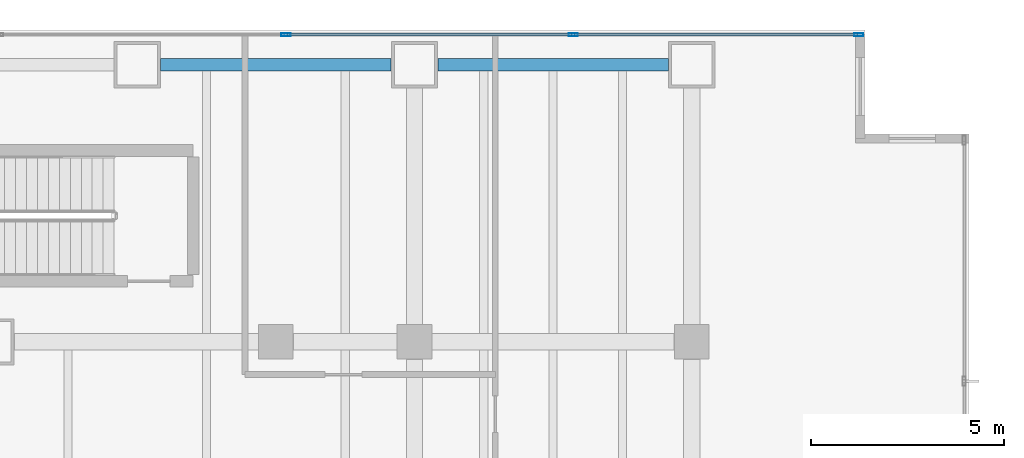
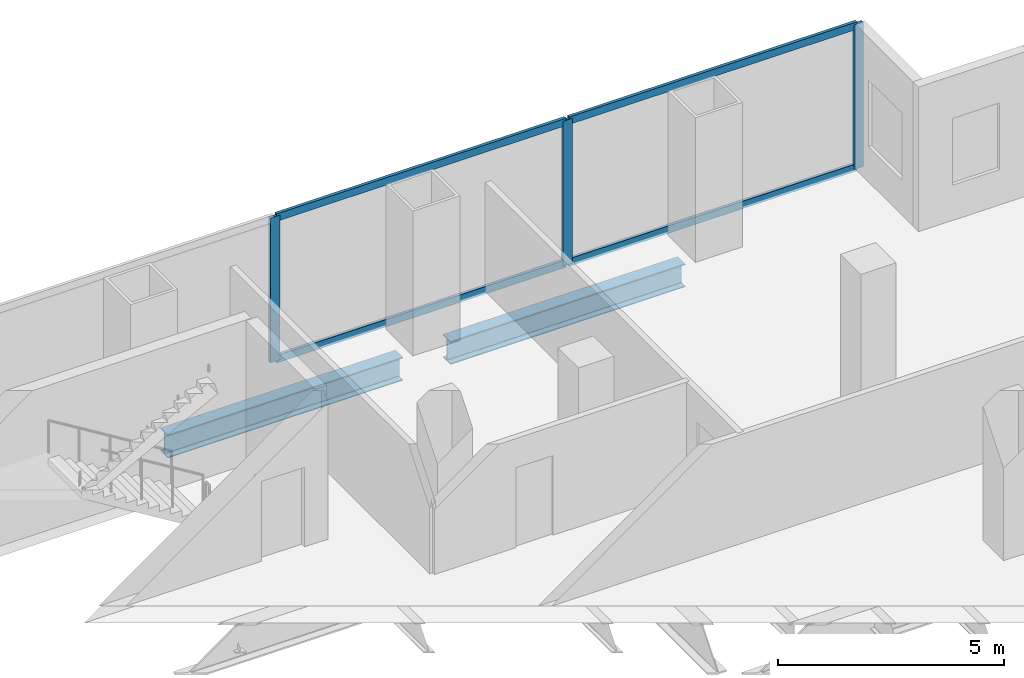
# One storey, part 15 of 31: 7 members, 2 beams, 1 element without a shape of its own.
"""IFC4 building model written with IfcOpenShell, lengths in metres."""

from ifc_helpers import new_model, si_unit, direction, frame, origin, origin_2d, place, context, subcontext, project, spatial, hollow_rectangle, i_section, extrude, material, material_profile, profile_set, type_object, element, aggregate, save


model = new_model("IFC4")

# Units and contexts
model_context = context("Model", 3, precision=1e-05, world=origin(), true_north=direction((0.0, 1.0)))
body_context = subcontext(model_context, "Body", "Model", "MODEL_VIEW")
ifc_project = project(units=[si_unit("LENGTHUNIT", "METRE"), si_unit("AREAUNIT", "SQUARE_METRE"), si_unit("VOLUMEUNIT", "CUBIC_METRE"), si_unit("PLANEANGLEUNIT", "RADIAN"), si_unit("MASSUNIT", "GRAM", prefix="KILO")], contexts=[model_context])

# Site, building, storey
site_placement = place(None, origin())
site = spatial("IfcSite", under=ifc_project, at=site_placement, CompositionType="ELEMENT")
building_placement = place(site_placement, origin())
building = spatial("IfcBuilding", under=site, at=building_placement, Name="Cobrela Telecom Tower", CompositionType="ELEMENT")
storey_placement = place(building_placement, frame((0.0, 0.0, 9.449951171875)))
storey = spatial("IfcBuildingStorey", under=building, at=storey_placement, Name="L02", CompositionType="ELEMENT", Elevation=9.449951171875)

# Beams
ifc_material_1 = material(Name="Steel ASTM A992 Grade 50", Category="steel")
ifc_material_profile_1 = material_profile(ifc_material_1, i_section(OverallWidth=0.327880859375, OverallDepth=0.6220703125, WebThickness=0.015380859375, FlangeThickness=0.0244140625, FilletRadius=0.014892578125, at=origin_2d()), Name="W24X131")
ifc_profile_set_1 = profile_set([ifc_material_profile_1], Name="Steel ASTM A992 Grade 50")
beam_type = type_object("IfcBeamType", Name="BM-SPAND-01", PredefinedType="SPANDREL", material=ifc_profile_set_1)
for number, where, z_axis, x_axis, name in (
    (1, (29.405029296875, 49.5, -0.61083984375), (1.0, 0.0, 0.0), (0.0, 1.0, 0.0), "L02 Perimeter Spandrel X54"),
    (2, (36.60498046875, 49.5, -0.61083984375), (1.0, 0.0, 0.0), (0.0, 1.0, 0.0), "L02 Perimeter Spandrel X55"),
):
    element("IfcBeam", number, at=place(storey_placement, frame(where, z_axis=z_axis, x_axis=x_axis)), inside=storey, type_object=beam_type, Name=name, PredefinedType="SPANDREL", context=body_context, shape_type="SweptSolid", body=[
        extrude(i_section(OverallWidth=0.327880859375, OverallDepth=0.6220703125, WebThickness=0.015380859375, FlangeThickness=0.0244140625, FilletRadius=0.014892578125, at=origin_2d()), origin(), (0.0, 0.0, 1.0), 5.989990234375),
    ])

# Curtain wall, members
ifc_material_2 = material(Name="Anodized Bronze Aluminium 6063-T6", Category="aluminium")
curtain_wall_type = type_object("IfcCurtainWallType", Name="CW-SYS-CONC", PredefinedType="USERDEFINED", material=ifc_material_2)
curtain_wall_placement = place(storey_placement, origin())
curtain_wall = element("IfcCurtainWall", 3, at=curtain_wall_placement, inside=storey, type_object=curtain_wall_type, Name="L02 Unitised Bronze Curtain Wall 07", ObjectType="UNITISED CURTAIN WALL", PredefinedType="USERDEFINED")
ifc_material_profile_2 = material_profile(ifc_material_2, hollow_rectangle(XDim=0.080078125, YDim=0.239990234375, WallThickness=0.0048828125, at=origin_2d()), Name="ALU 80x240x5")
ifc_profile_set_2 = profile_set([ifc_material_profile_2], Name="Anodized Bronze Aluminium 6063-T6")
member_type_1 = type_object("IfcMemberType", Name="CW-SYS-CONC-MUL", PredefinedType="MULLION", material=ifc_profile_set_2)
member_1_placement = place(storey_placement, frame((32.659912109375, 50.280029296875, 0.0), z_axis=(0.0, 0.0, 1.0), x_axis=(0.0, 1.0, 0.0)))
member_1 = element("IfcMember", 4, at=member_1_placement, type_object=member_type_1, Name="CW-CONC mullion 5", PredefinedType="MULLION", context=body_context, shape_type="SweptSolid", body=[
    extrude(hollow_rectangle(XDim=0.080078125, YDim=0.239990234375, WallThickness=0.0048828125, at=origin_2d()), origin(), (0.0, 0.0, 1.0), 3.900146484375),
])
member_2_placement = place(storey_placement, frame((40.1201171875, 50.280029296875, 0.0), z_axis=(0.0, 0.0, 1.0), x_axis=(0.0, 1.0, 0.0)))
member_2 = element("IfcMember", 5, at=member_2_placement, type_object=member_type_1, Name="CW-CONC mullion 6", PredefinedType="MULLION", context=body_context, shape_type="SweptSolid", body=[
    extrude(hollow_rectangle(XDim=0.080078125, YDim=0.239990234375, WallThickness=0.0048828125, at=origin_2d()), origin(), (0.0, 0.0, 1.0), 3.900146484375),
])
member_3_placement = place(storey_placement, frame((47.5400390625, 50.280029296875, 0.0), z_axis=(0.0, 0.0, 1.0), x_axis=(0.0, 1.0, 0.0)))
member_3 = element("IfcMember", 6, at=member_3_placement, type_object=member_type_1, Name="CW-CONC mullion 7", PredefinedType="MULLION", context=body_context, shape_type="SweptSolid", body=[
    extrude(hollow_rectangle(XDim=0.080078125, YDim=0.239990234375, WallThickness=0.0048828125, at=origin_2d()), origin(), (0.0, 0.0, 1.0), 3.900146484375),
])
ifc_material_profile_3 = material_profile(ifc_material_2, hollow_rectangle(XDim=0.080078125, YDim=0.199951171875, WallThickness=0.00390625, at=origin_2d()), Name="ALU 80x200x4")
ifc_profile_set_3 = profile_set([ifc_material_profile_3], Name="Anodized Bronze Aluminium 6063-T6")
member_type_2 = type_object("IfcMemberType", Name="CW-SYS-CONC-TRN", PredefinedType="USERDEFINED", material=ifc_profile_set_3)
member_4_placement = place(storey_placement, frame((32.699951171875, 50.280029296875, 0.0400390625), z_axis=(1.0, 0.0, 0.0), x_axis=(0.0, 1.0, 0.0)))
member_4 = element("IfcMember", 7, at=member_4_placement, type_object=member_type_2, Name="CW-CONC transom 5.1", ObjectType="TRANSOM", PredefinedType="USERDEFINED", context=body_context, shape_type="SweptSolid", body=[
    extrude(hollow_rectangle(XDim=0.080078125, YDim=0.199951171875, WallThickness=0.00390625, at=origin_2d()), origin(), (0.0, 0.0, 1.0), 7.380126953125),
])
member_5_placement = place(storey_placement, frame((32.699951171875, 50.280029296875, 3.860107421875), z_axis=(1.0, 0.0, 0.0), x_axis=(0.0, 1.0, 0.0)))
member_5 = element("IfcMember", 8, at=member_5_placement, type_object=member_type_2, Name="CW-CONC transom 5.2", ObjectType="TRANSOM", PredefinedType="USERDEFINED", context=body_context, shape_type="SweptSolid", body=[
    extrude(hollow_rectangle(XDim=0.080078125, YDim=0.199951171875, WallThickness=0.00390625, at=origin_2d()), origin(), (0.0, 0.0, 1.0), 7.380126953125),
])
member_6_placement = place(storey_placement, frame((40.159912109375, 50.280029296875, 0.0400390625), z_axis=(1.0, 0.0, 0.0), x_axis=(0.0, 1.0, 0.0)))
member_6 = element("IfcMember", 9, at=member_6_placement, type_object=member_type_2, Name="CW-CONC transom 6.1", ObjectType="TRANSOM", PredefinedType="USERDEFINED", context=body_context, shape_type="SweptSolid", body=[
    extrude(hollow_rectangle(XDim=0.080078125, YDim=0.199951171875, WallThickness=0.00390625, at=origin_2d()), origin(), (0.0, 0.0, 1.0), 7.340087890625),
])
member_7_placement = place(storey_placement, frame((40.159912109375, 50.280029296875, 3.860107421875), z_axis=(1.0, 0.0, 0.0), x_axis=(0.0, 1.0, 0.0)))
member_7 = element("IfcMember", 10, at=member_7_placement, type_object=member_type_2, Name="CW-CONC transom 6.2", ObjectType="TRANSOM", PredefinedType="USERDEFINED", context=body_context, shape_type="SweptSolid", body=[
    extrude(hollow_rectangle(XDim=0.080078125, YDim=0.199951171875, WallThickness=0.00390625, at=origin_2d()), origin(), (0.0, 0.0, 1.0), 7.340087890625),
])
aggregate(curtain_wall, [member_1, member_2, member_3, member_4, member_5, member_6, member_7])

save(model, "model.ifc")
